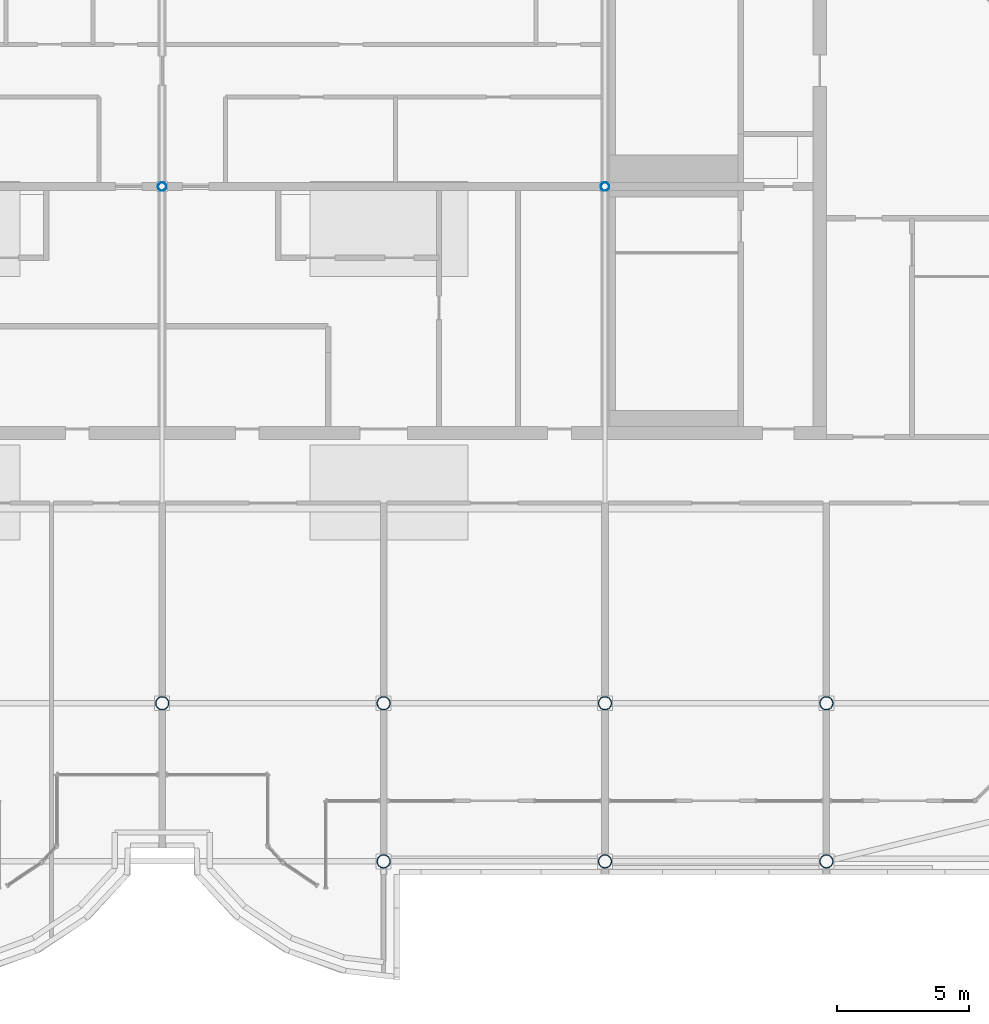
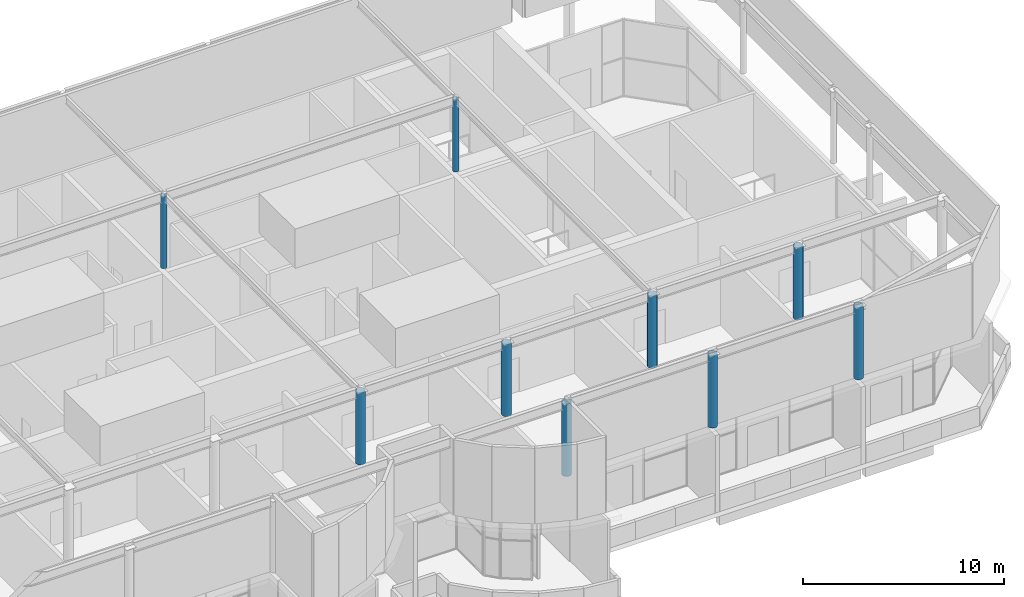
# One storey, part 2 of 25: 9 columns.
"""IFC4 building model written with IfcOpenShell, lengths in metres."""

from ifc_helpers import new_model, si_unit, direction, frame, origin, origin_2d, place, context, subcontext, project, spatial, hollow_circle, extrude, source, transform, mapped, material, material_profile, profile_set, type_object, element, save


model = new_model("IFC4")

# Units and contexts
model_context = context("Model", 3, precision=1e-05, world=origin(), true_north=direction((0.0, 1.0)))
body_context = subcontext(model_context, "Body", "Model", "MODEL_VIEW")
ifc_project = project(units=[si_unit("LENGTHUNIT", "METRE"), si_unit("AREAUNIT", "SQUARE_METRE"), si_unit("VOLUMEUNIT", "CUBIC_METRE"), si_unit("PLANEANGLEUNIT", "RADIAN"), si_unit("MASSUNIT", "GRAM", prefix="KILO")], contexts=[model_context])

# Site, building, storey
site_placement = place(None, origin())
site = spatial("IfcSite", under=ifc_project, at=site_placement, CompositionType="ELEMENT")
building_placement = place(site_placement, origin())
building = spatial("IfcBuilding", under=site, at=building_placement, Name="Vanashikhar Sky Hotel", CompositionType="ELEMENT")
storey_placement = place(building_placement, frame((0.0, 0.0, 329.699951171875)))
storey = spatial("IfcBuildingStorey", under=building, at=storey_placement, Name="L78", CompositionType="ELEMENT", Elevation=329.699951171875)

# Columns
ifc_material = material(Name="Steel S355", Category="steel")
ifc_material_profile_1 = material_profile(ifc_material, hollow_circle(Radius=0.25390625, WallThickness=0.02001953125, at=origin_2d()))
ifc_profile_set_1 = profile_set([ifc_material_profile_1], Name="CHS 508x20 Steel S355")
column_type_1 = type_object("IfcColumnType", Name="CHS 508x20 Steel S355", PredefinedType="COLUMN", material=ifc_profile_set_1)
shared_shape_1 = source(origin(), body_context, "Body", "SweptSolid", [
    extrude(hollow_circle(Radius=0.25390625, WallThickness=0.02001953125, at=origin_2d()), origin(), (0.0, 0.0, 1.0), 4.400146484375),
])
for number, where, z_axis, x_axis, name in (
    (1, (58.800048828125, 6.0, 5.0), (0.0, 0.0, 1.0), (1.0, 0.0, 0.0), "CP-L78-F04"),
    (2, (67.199951171875, 6.0, 5.0), (0.0, 0.0, 1.0), (1.0, 0.0, 0.0), "CP-L78-F05"),
    (3, (75.60009765625, 6.0, 5.0), (0.0, 0.0, 1.0), (1.0, 0.0, 0.0), "CP-L78-F06"),
    (4, (50.39990234375, 12.0, 5.0), (0.0, 0.0, 1.0), (1.0, 0.0, 0.0), "CP-L78-F11"),
    (5, (58.800048828125, 12.0, 5.0), (0.0, 0.0, 1.0), (1.0, 0.0, 0.0), "CP-L78-F12"),
    (6, (67.199951171875, 12.0, 5.0), (0.0, 0.0, 1.0), (1.0, 0.0, 0.0), "CP-L78-F13"),
    (7, (75.60009765625, 12.0, 5.0), (0.0, 0.0, 1.0), (1.0, 0.0, 0.0), "CP-L78-F14"),
):
    element("IfcColumn", number, at=place(storey_placement, frame(where, z_axis=z_axis, x_axis=x_axis)), inside=storey, type_object=column_type_1, Name=name, PredefinedType="COLUMN", context=body_context, shape_type="MappedRepresentation", body=[
        mapped(shared_shape_1, transform((0.0, 0.0, 0.0), scale=1.0)),
    ])
ifc_material_profile_2 = material_profile(ifc_material, hollow_circle(Radius=0.162109375, WallThickness=0.011962890625, at=origin_2d()))
ifc_profile_set_2 = profile_set([ifc_material_profile_2], Name="CHS 324x12 Steel S355")
column_type_2 = type_object("IfcColumnType", Name="CHS 324x12 Steel S355", PredefinedType="COLUMN", material=ifc_profile_set_2)
shared_shape_2 = source(origin(), body_context, "Body", "SweptSolid", [
    extrude(hollow_circle(Radius=0.162109375, WallThickness=0.011962890625, at=origin_2d()), origin(), (0.0, 0.0, 1.0), 4.400146484375),
])
for number, where, z_axis, x_axis, name in (
    (8, (50.39990234375, 31.60009765625, 5.0), (0.0, 0.0, 1.0), (1.0, 0.0, 0.0), "CP-L78-M02"),
    (9, (67.199951171875, 31.60009765625, 5.0), (0.0, 0.0, 1.0), (1.0, 0.0, 0.0), "CP-L78-M03"),
):
    element("IfcColumn", number, at=place(storey_placement, frame(where, z_axis=z_axis, x_axis=x_axis)), inside=storey, type_object=column_type_2, Name=name, PredefinedType="COLUMN", context=body_context, shape_type="MappedRepresentation", body=[
        mapped(shared_shape_2, transform((0.0, 0.0, 0.0), scale=1.0)),
    ])

save(model, "model.ifc")
